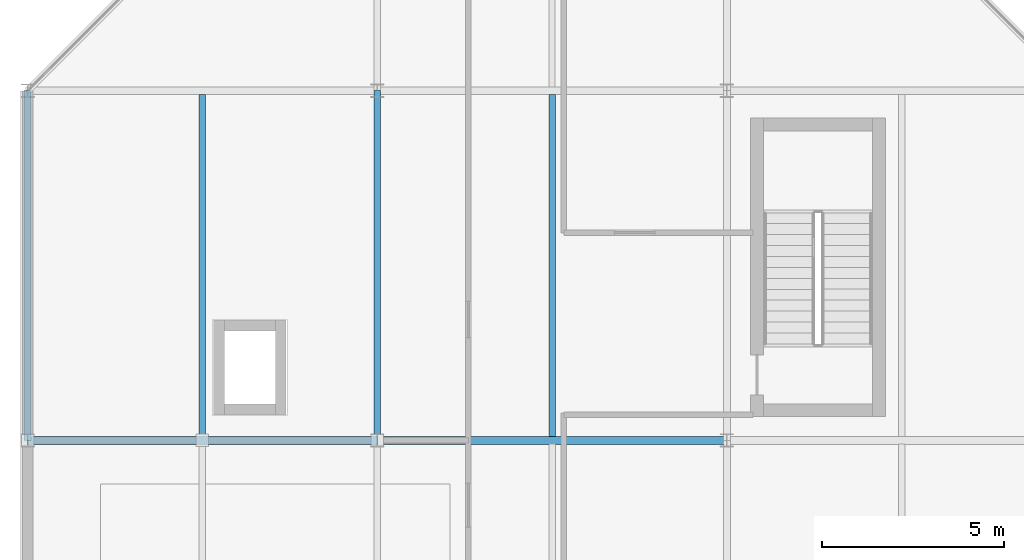
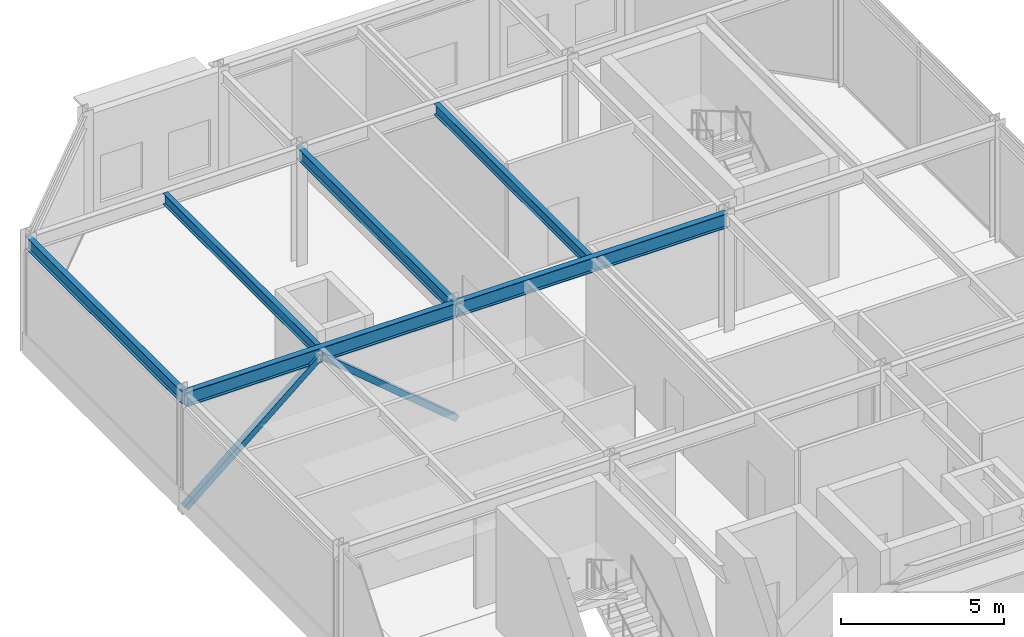
# One storey, part 59 of 133: 6 beams, 2 members.
"""IFC4 building model written with IfcOpenShell, lengths in metres."""

import ifcopenshell
import ifcopenshell.guid

model = None  # the IFC model being written
_history = None  # IfcOwnerHistory: only IFC2X3 demands one
_inside = {}  # id of a spatial element -> (the spatial element, [elements in it])
_under = {}  # id of a project, library or spatial element -> (it, [spatial elements below it])
_declared = {}  # id of a project -> (the project, [libraries it declares])
_typed = {}  # id of a type object -> (the type object, [elements of that type])
_made_of = {}  # id of a material, layer set ... -> (it, [elements and type objects made of it])


def new_model(schema):
    """Start an empty IFC model of exactly this schema.

    Asked for "IFC4X3", IfcOpenShell would pick the latest addendum, in which some entities
    have other attributes; the version numbers below select the first issue.
    IFC2X3 requires an IfcOwnerHistory on every rooted entity: one is made here for all.
    """
    global model, _history
    if schema == "IFC4X3":
        model = ifcopenshell.file(schema_version=(4, 3, 0, 0))
    else:
        model = ifcopenshell.file(schema=schema)
    _inside.clear()
    _under.clear()
    _declared.clear()
    _typed.clear()
    _made_of.clear()
    _history = None
    if model.schema == "IFC2X3":
        org = make("IfcOrganization", Name="unknown")
        user = make(
            "IfcPersonAndOrganization",
            ThePerson=make("IfcPerson", FamilyName="unknown"),
            TheOrganization=org,
        )
        app = make(
            "IfcApplication",
            ApplicationDeveloper=org,
            Version="unknown",
            ApplicationFullName="unknown",
            ApplicationIdentifier="unknown",
        )
        _history = make(
            "IfcOwnerHistory",
            OwningUser=user,
            OwningApplication=app,
            ChangeAction="ADDED",
            CreationDate=0,
        )
    return model


def make(cls, **values):
    """One entity of the class cls with the attributes given. An attribute that is None is left unset."""
    return model.create_entity(
        cls, **{name: value for name, value in values.items() if value is not None}
    )


def rooted(cls, **values):
    """An entity with a GlobalId (a new one), such as an element, a storey or a relation."""
    return make(cls, GlobalId=ifcopenshell.guid.new(), OwnerHistory=_history, **values)


def si_unit(unit_type, name, prefix=None):
    """IfcSIUnit, for example si_unit("LENGTHUNIT", "METRE", prefix="MILLI")."""
    return make("IfcSIUnit", UnitType=unit_type, Prefix=prefix, Name=name)


def assignment(units):
    """IfcUnitAssignment: the units of a project."""
    return None if units is None else make("IfcUnitAssignment", Units=units)


def point(xyz):
    """IfcCartesianPoint."""
    return None if xyz is None else make("IfcCartesianPoint", Coordinates=xyz)


def direction(xyz):
    """IfcDirection."""
    return None if xyz is None else make("IfcDirection", DirectionRatios=xyz)


def frame(location, z_axis=None, x_axis=None):
    """IfcAxis2Placement3D, a coordinate frame: its origin and axes. An axis left out is left unset."""
    return make(
        "IfcAxis2Placement3D",
        Location=point(location),
        Axis=direction(z_axis),
        RefDirection=direction(x_axis),
    )


def frame_2d(location, x_axis=None):
    """IfcAxis2Placement2D, a coordinate frame in the plane: its origin and x axis."""
    return make(
        "IfcAxis2Placement2D", Location=point(location), RefDirection=direction(x_axis)
    )


def origin():
    """The frame at (0, 0, 0) with its axes left unset."""
    return frame((0.0, 0.0, 0.0))


def origin_2d():
    """The frame at (0, 0) in the plane with its x axis left unset."""
    return frame_2d((0.0, 0.0))


def place(relative_to, where):
    """IfcLocalPlacement: puts the frame where relative to a parent placement (None: the world)."""
    return make(
        "IfcLocalPlacement", PlacementRelTo=relative_to, RelativePlacement=where
    )


def context(
    kind, dimensions, precision=None, world=None, true_north=None, identifier=None
):
    """IfcGeometricRepresentationContext, for example the 3D "Model" context."""
    return make(
        "IfcGeometricRepresentationContext",
        ContextIdentifier=identifier,
        ContextType=kind,
        CoordinateSpaceDimension=dimensions,
        Precision=precision,
        WorldCoordinateSystem=world,
        TrueNorth=true_north,
    )


def subcontext(parent, identifier, kind, view, scale=None):
    """IfcGeometricRepresentationSubContext, for example "Body" below "Model"."""
    return make(
        "IfcGeometricRepresentationSubContext",
        ContextIdentifier=identifier,
        ContextType=kind,
        ParentContext=parent,
        TargetScale=scale,
        TargetView=view,
    )


def project(units=None, contexts=None):
    """IfcProject with its units and contexts."""
    return rooted(
        "IfcProject",
        Name="project",
        RepresentationContexts=contexts,
        UnitsInContext=assignment(units),
    )


def spatial(cls, under=None, at=None, **own):
    """A site, building, storey or space (cls), placed at a placement, below another one or the project."""
    s = rooted(cls, ObjectPlacement=at, **own)
    if under is not None:
        _under.setdefault(under.id(), (under, []))[1].append(s)
    return s


def profile(cls, at=None, kind="AREA", **sizes):
    """A parametric profile (cls). Its sizes go by their IFC names, for example OverallWidth=200.0."""
    return make(cls, ProfileType=kind, Position=at, **sizes)


def hollow_rectangle(**sizes):
    """IfcRectangleHollowProfileDef."""
    return profile("IfcRectangleHollowProfileDef", **sizes)


def i_section(**sizes):
    """IfcIShapeProfileDef."""
    return profile("IfcIShapeProfileDef", **sizes)


def extrude(swept, where, along, depth):
    """IfcExtrudedAreaSolid: the profile swept, set in the frame where, extruded along a direction by depth."""
    return make(
        "IfcExtrudedAreaSolid",
        SweptArea=swept,
        Position=where,
        ExtrudedDirection=direction(along),
        Depth=depth,
    )


def shape(context_of_items, identifier, shape_type, items):
    """IfcShapeRepresentation: the items that make up one representation, for example the "Body"."""
    return make(
        "IfcShapeRepresentation",
        ContextOfItems=context_of_items,
        RepresentationIdentifier=identifier,
        RepresentationType=shape_type,
        Items=items,
    )


def material(Name=None, Category=None):
    """IfcMaterial."""
    return make("IfcMaterial", Name=Name, Category=Category)


def material_profile(
    of_material, cross_section, Name=None, Category=None, Priority=None
):
    """IfcMaterialProfile: a cross section and its material."""
    return make(
        "IfcMaterialProfile",
        Name=Name,
        Material=of_material,
        Profile=cross_section,
        Priority=Priority,
        Category=Category,
    )


def profile_set(profiles, Name=None, composite=None):
    """IfcMaterialProfileSet."""
    return make(
        "IfcMaterialProfileSet",
        Name=Name,
        MaterialProfiles=profiles,
        CompositeProfile=composite,
    )


def made_of(thing, what):
    """Note that an element or type object is made of a material, layer set ...; save() writes the relation."""
    if what is not None:
        _made_of.setdefault(what.id(), (what, []))[1].append(thing)
    return thing


def type_object(cls, material=None, **own):
    """A type object (cls), such as IfcWallType, which elements share."""
    return made_of(rooted(cls, **own), material)


def element(
    cls,
    number,
    at=None,
    inside=None,
    cuts=None,
    type_object=None,
    material=None,
    context=None,
    identifier="Body",
    shape_type=None,
    held_by="IfcProductDefinitionShape",
    body=None,
    shapes=None,
    **own,
):
    """One element of the class cls, such as IfcWall. Its Tag is "e" and its number.

    at: its placement. inside: the storey or other place that contains it. cuts: it is an
    opening in that element (IfcRelVoidsElement). A single representation is given by context,
    identifier, shape_type and body (its items); several are given by shapes. held_by: the class
    of the entity that holds the representations. save() writes the other relations.
    """
    e = rooted(cls, Tag="e%d" % number, ObjectPlacement=at, **own)
    if body is not None:
        shapes = [shape(context, identifier, shape_type, body)]
    if shapes is not None:
        e.Representation = make(held_by, Representations=shapes)
    if inside is not None:
        _inside.setdefault(inside.id(), (inside, []))[1].append(e)
    if cuts is not None:
        rooted(
            "IfcRelVoidsElement", RelatingBuildingElement=cuts, RelatedOpeningElement=e
        )
    if type_object is not None:
        _typed.setdefault(type_object.id(), (type_object, []))[1].append(e)
    return made_of(e, material)


def aggregate(whole, parts):
    """IfcRelAggregates: a whole, such as a stair, and the parts it consists of."""
    return rooted("IfcRelAggregates", RelatingObject=whole, RelatedObjects=parts)


def save(model, path):
    """Write the relations noted so far, then the file.

    IfcRelAggregates (storeys below a building ...), IfcRelContainedInSpatialStructure (elements
    in a storey), IfcRelDefinesByType, IfcRelAssociatesMaterial and IfcRelDeclares: one each for
    every whole, place, type object, material and project.
    """
    for whole, parts in _under.values():
        aggregate(whole, parts)
    for where, things in _inside.values():
        rooted(
            "IfcRelContainedInSpatialStructure",
            RelatedElements=things,
            RelatingStructure=where,
        )
    for kind, things in _typed.values():
        rooted("IfcRelDefinesByType", RelatedObjects=things, RelatingType=kind)
    for what, things in _made_of.values():
        rooted("IfcRelAssociatesMaterial", RelatedObjects=things, RelatingMaterial=what)
    for by, libraries in _declared.values():
        rooted("IfcRelDeclares", RelatingContext=by, RelatedDefinitions=libraries)
    model.write(path)


model = new_model("IFC4")

# Units and contexts
model_context = context("Model", 3, precision=1e-05, world=origin(), true_north=direction((0.0, 1.0)))
body_context = subcontext(model_context, "Body", "Model", "MODEL_VIEW")
ifc_project = project(units=[si_unit("LENGTHUNIT", "METRE"), si_unit("AREAUNIT", "SQUARE_METRE"), si_unit("VOLUMEUNIT", "CUBIC_METRE"), si_unit("PLANEANGLEUNIT", "RADIAN"), si_unit("MASSUNIT", "GRAM", prefix="KILO")], contexts=[model_context])

# Site, building, storey
site_placement = place(None, origin())
site = spatial("IfcSite", under=ifc_project, at=site_placement, CompositionType="ELEMENT")
building_placement = place(site_placement, origin())
building = spatial("IfcBuilding", under=site, at=building_placement, Name="Almandine Court Research Institute", CompositionType="ELEMENT")
storey_placement = place(building_placement, frame((0.0, 0.0, 9.800048828125)))
storey = spatial("IfcBuildingStorey", under=building, at=storey_placement, Name="L02", CompositionType="ELEMENT", Elevation=9.800048828125)

# Beams
ifc_material_1 = material(Name="Steel ASTM A992 Grade 50", Category="steel")
ifc_material_profile_1 = material_profile(ifc_material_1, i_section(OverallWidth=0.18994140625, OverallDepth=0.45703125, WebThickness=0.009033203125, FlangeThickness=0.014892578125, at=origin_2d()), Name="W460x74")
ifc_profile_set_1 = profile_set([ifc_material_profile_1], Name="Steel ASTM A992 Grade 50")
beam_type_1 = type_object("IfcBeamType", Name="Beam-B-01", PredefinedType="BEAM", material=ifc_profile_set_1)
beam_1_placement = place(storey_placement, frame((15.60009765625, 103.199951171875, 4.140869140625), z_axis=(0.0, 1.0, 0.0), x_axis=(-1.0, 0.0, 0.0)))
element("IfcBeam", 1, at=beam_1_placement, inside=storey, type_object=beam_type_1, Name="L02 V3 Primary Y Girder", PredefinedType="BEAM", context=body_context, shape_type="SweptSolid", body=[
    extrude(i_section(OverallWidth=0.18994140625, OverallDepth=0.45703125, WebThickness=0.009033203125, FlangeThickness=0.014892578125, at=origin_2d()), origin(), (0.0, 0.0, 1.0), 9.60009765625),
])
ifc_material_profile_2 = material_profile(ifc_material_1, i_section(OverallWidth=0.178955078125, OverallDepth=0.409912109375, WebThickness=0.009033203125, FlangeThickness=0.013916015625, at=origin_2d()), Name="W410x67")
ifc_profile_set_2 = profile_set([ifc_material_profile_2], Name="Steel ASTM A992 Grade 50")
beam_type_2 = type_object("IfcBeamType", Name="Beam-B-02", PredefinedType="JOIST", material=ifc_profile_set_2)
for number, where, z_axis, x_axis, name in (
    (2, (10.800048828125, 103.302978515625, 4.1650390625), (0.0, 1.0, 0.0), (-1.0, 0.0, 0.0), "L02 V3 Composite Secondary Beam"),
    (3, (20.39990234375, 103.302978515625, 4.1650390625), (0.0, 1.0, 0.0), (-1.0, 0.0, 0.0), "L02 V3 Composite Secondary Beam"),
):
    element("IfcBeam", number, at=place(storey_placement, frame(where, z_axis=z_axis, x_axis=x_axis)), inside=storey, type_object=beam_type_2, Name=name, PredefinedType="JOIST", context=body_context, shape_type="SweptSolid", body=[
        extrude(i_section(OverallWidth=0.178955078125, OverallDepth=0.409912109375, WebThickness=0.009033203125, FlangeThickness=0.013916015625, at=origin_2d()), origin(), (0.0, 0.0, 1.0), 9.39404296875),
    ])
ifc_material_profile_3 = material_profile(ifc_material_1, i_section(OverallWidth=0.2109375, OverallDepth=0.5390625, WebThickness=0.011962890625, FlangeThickness=0.01904296875, at=origin_2d()), Name="W530x109")
ifc_profile_set_3 = profile_set([ifc_material_profile_3], Name="Steel ASTM A992 Grade 50")
beam_type_3 = type_object("IfcBeamType", Name="Beam-G-04", PredefinedType="BEAM", material=ifc_profile_set_3)
beam_2_placement = place(storey_placement, frame((6.0, 103.199951171875, 4.099853515625), z_axis=(1.0, 0.0, 0.0), x_axis=(0.0, 1.0, 0.0)))
element("IfcBeam", 4, at=beam_2_placement, inside=storey, type_object=beam_type_3, Name="L02 V3 Primary X Girder", PredefinedType="BEAM", context=body_context, shape_type="SweptSolid", body=[
    extrude(i_section(OverallWidth=0.2109375, OverallDepth=0.5390625, WebThickness=0.011962890625, FlangeThickness=0.01904296875, at=origin_2d()), origin(), (0.0, 0.0, 1.0), 9.60009765625),
])
beam_3_placement = place(storey_placement, frame((15.60009765625, 103.199951171875, 4.099853515625), z_axis=(1.0, 0.0, 0.0), x_axis=(0.0, 1.0, 0.0)))
element("IfcBeam", 5, at=beam_3_placement, inside=storey, type_object=beam_type_3, Name="L02 V3 Primary X Girder", PredefinedType="BEAM", context=body_context, shape_type="SweptSolid", body=[
    extrude(i_section(OverallWidth=0.2109375, OverallDepth=0.5390625, WebThickness=0.011962890625, FlangeThickness=0.01904296875, at=origin_2d()), origin(), (0.0, 0.0, 1.0), 9.599853515625),
])
ifc_material_profile_4 = material_profile(ifc_material_1, i_section(OverallWidth=0.193115234375, OverallDepth=0.466064453125, WebThickness=0.010986328125, FlangeThickness=0.01904296875, at=origin_2d()), Name="W460x97")
ifc_profile_set_4 = profile_set([ifc_material_profile_4], Name="Steel ASTM A992 Grade 50")
beam_type_4 = type_object("IfcBeamType", Name="Beam-G-06-E", PredefinedType="SPANDREL", material=ifc_profile_set_4)
beam_4_placement = place(storey_placement, frame((6.0, 103.199951171875, 4.136962890625), z_axis=(0.0, 1.0, 0.0), x_axis=(-1.0, 0.0, 0.0)))
element("IfcBeam", 6, at=beam_4_placement, inside=storey, type_object=beam_type_4, Name="L02 V3 Primary Y Girder", PredefinedType="SPANDREL", context=body_context, shape_type="SweptSolid", body=[
    extrude(i_section(OverallWidth=0.193115234375, OverallDepth=0.466064453125, WebThickness=0.010986328125, FlangeThickness=0.01904296875, at=origin_2d()), origin(), (0.0, 0.0, 1.0), 9.60009765625),
])

# Members
ifc_material_2 = material(Name="Steel ASTM A500 Grade C", Category="steel")
ifc_material_profile_5 = material_profile(ifc_material_2, hollow_rectangle(XDim=0.219970703125, YDim=0.219970703125, WallThickness=0.010009765625, at=origin_2d()), Name="HSS 220x220x10")
ifc_profile_set_5 = profile_set([ifc_material_profile_5], Name="Steel ASTM A500 Grade C")
member_type = type_object("IfcMemberType", Name="Mem-BF-BR1", PredefinedType="BRACE", material=ifc_profile_set_5)
for number, where, z_axis, x_axis, name in (
    (7, (6.0, 103.199951171875, 0.02001953125), (0.765862920872, 0.0, 0.643003877464), (0.0, 1.0, 0.0), "L02 Seismic Chevron Brace V3-BF1 Left"),
    (8, (15.60009765625, 103.199951171875, 0.02001953125), (-0.765862920872, 0.0, 0.643003877464), (0.0, -1.0, 0.0), "L02 Seismic Chevron Brace V3-BF1 Right"),
):
    element("IfcMember", number, at=place(storey_placement, frame(where, z_axis=z_axis, x_axis=x_axis)), inside=storey, type_object=member_type, Name=name, PredefinedType="BRACE", context=body_context, shape_type="SweptSolid", body=[
        extrude(hollow_rectangle(XDim=0.219970703125, YDim=0.219970703125, WallThickness=0.010009765625, at=origin_2d()), origin(), (0.0, 0.0, 1.0), 6.267578125),
    ])

save(model, "model.ifc")
